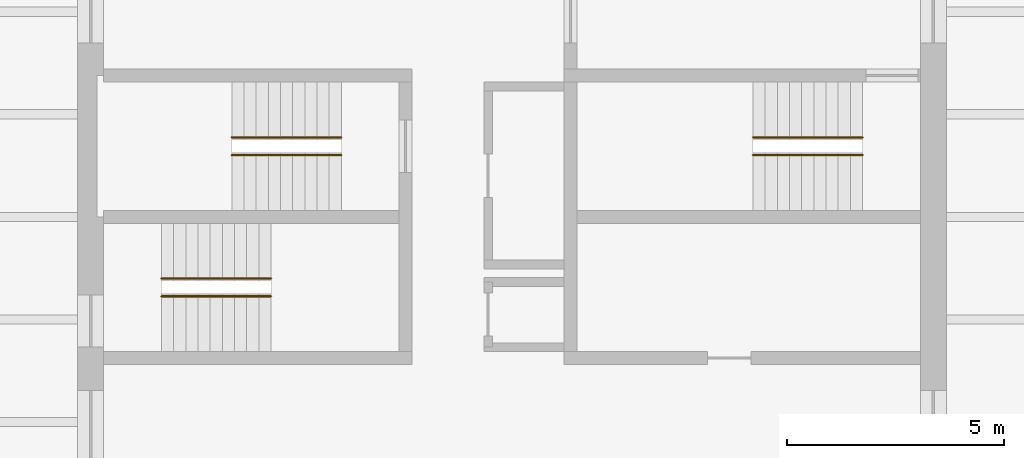
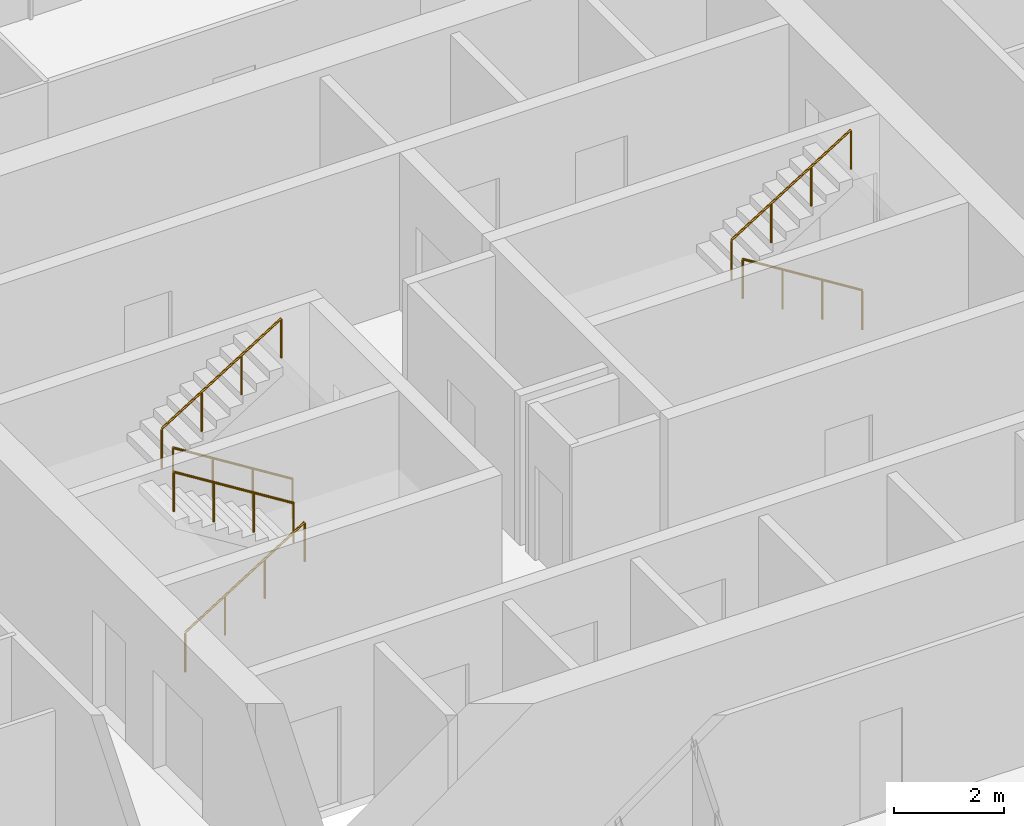
# One storey, part 17 of 17: 6 railings.
"""IFC4 building model written with IfcOpenShell, lengths in metres."""

from ifc_helpers import new_model, si_unit, direction, frame, origin, origin_2d, place, context, subcontext, project, spatial, circle, extrude, material, type_object, element, save


model = new_model("IFC4")

# Units and contexts
model_context = context("Model", 3, precision=1e-05, world=origin(), true_north=direction((0.0, 1.0)))
body_context = subcontext(model_context, "Body", "Model", "MODEL_VIEW")
ifc_project = project(units=[si_unit("LENGTHUNIT", "METRE"), si_unit("AREAUNIT", "SQUARE_METRE"), si_unit("VOLUMEUNIT", "CUBIC_METRE"), si_unit("PLANEANGLEUNIT", "RADIAN"), si_unit("MASSUNIT", "GRAM", prefix="KILO")], contexts=[model_context])

# Site, building, storey
site_placement = place(None, origin())
site = spatial("IfcSite", under=ifc_project, at=site_placement, CompositionType="ELEMENT")
building_placement = place(site_placement, origin())
building = spatial("IfcBuilding", under=site, at=building_placement, Name="Turquesa Mirador Hotel Tower", CompositionType="ELEMENT")
storey_placement = place(building_placement, frame((0.0, 0.0, 258.199951171875)))
storey = spatial("IfcBuildingStorey", under=building, at=storey_placement, Name="L70", CompositionType="ELEMENT", Elevation=258.199951171875)

# Railings
ifc_material = material(Name="Painted steel handrail", Category="steel")
railing_type = type_object("IfcRailingType", Name="HANDRAIL 900 STEEL", PredefinedType="HANDRAIL", material=ifc_material)
railing_1_placement = place(storey_placement, frame((51.070068359375, 46.419921875, 0.175048828125)))
element("IfcRailing", 1, at=railing_1_placement, inside=storey, type_object=railing_type, Name="Handrail ST1", PredefinedType="HANDRAIL", context=body_context, shape_type="SweptSolid", body=[
    extrude(circle(Radius=0.02392578125, at=origin_2d()), frame((0.0, 0.0, 0.8759765625), z_axis=(-0.848007534815, 0.0, 0.529984170421), x_axis=(0.0, -1.0, 0.0)), (0.0, 0.0, 1.0), 2.9716796875),
    extrude(circle(Radius=0.02099609375, at=origin_2d()), origin(), (0.0, 0.0, 1.0), 0.851806640625),
    extrude(circle(Radius=0.02099609375, at=origin_2d()), frame((-0.840087890625, 0.0, 0.52490234375)), (0.0, 0.0, 1.0), 0.851806640625),
    extrude(circle(Radius=0.02099609375, at=origin_2d()), frame((-1.679931640625, 0.0, 1.050048828125)), (0.0, 0.0, 1.0), 0.851806640625),
    extrude(circle(Radius=0.02099609375, at=origin_2d()), frame((-2.52001953125, 0.0, 1.574951171875)), (0.0, 0.0, 1.0), 0.851806640625),
])
for number, where, name in (
    (2, (48.550048828125, 46.830078125, 1.925048828125), "Handrail ST1"),
    (3, (46.929931640625, 43.169921875, 0.175048828125), "Handrail ST2"),
):
    element("IfcRailing", number, at=place(storey_placement, frame(where)), inside=storey, type_object=railing_type, Name=name, PredefinedType="HANDRAIL", context=body_context, shape_type="SweptSolid", body=[
        extrude(circle(Radius=0.02392578125, at=origin_2d()), frame((0.0, 0.0, 0.8759765625), z_axis=(0.848007534815, 0.0, 0.529984170421), x_axis=(0.0, 1.0, 0.0)), (0.0, 0.0, 1.0), 2.9716796875),
        extrude(circle(Radius=0.02099609375, at=origin_2d()), origin(), (0.0, 0.0, 1.0), 0.851806640625),
        extrude(circle(Radius=0.02099609375, at=origin_2d()), frame((0.840087890625, 0.0, 0.52490234375)), (0.0, 0.0, 1.0), 0.851806640625),
        extrude(circle(Radius=0.02099609375, at=origin_2d()), frame((1.679931640625, 0.0, 1.050048828125)), (0.0, 0.0, 1.0), 0.851806640625),
        extrude(circle(Radius=0.02099609375, at=origin_2d()), frame((2.52001953125, 0.0, 1.574951171875)), (0.0, 0.0, 1.0), 0.851806640625),
    ])
for number, where, name in (
    (4, (49.449951171875, 43.580078125, 1.925048828125), "Handrail ST2"),
    (5, (63.070068359375, 46.419921875, 0.175048828125), "Handrail ST3"),
):
    element("IfcRailing", number, at=place(storey_placement, frame(where)), inside=storey, type_object=railing_type, Name=name, PredefinedType="HANDRAIL", context=body_context, shape_type="SweptSolid", body=[
        extrude(circle(Radius=0.02392578125, at=origin_2d()), frame((0.0, 0.0, 0.8759765625), z_axis=(-0.848007534815, 0.0, 0.529984170421), x_axis=(0.0, -1.0, 0.0)), (0.0, 0.0, 1.0), 2.9716796875),
        extrude(circle(Radius=0.02099609375, at=origin_2d()), origin(), (0.0, 0.0, 1.0), 0.851806640625),
        extrude(circle(Radius=0.02099609375, at=origin_2d()), frame((-0.840087890625, 0.0, 0.52490234375)), (0.0, 0.0, 1.0), 0.851806640625),
        extrude(circle(Radius=0.02099609375, at=origin_2d()), frame((-1.679931640625, 0.0, 1.050048828125)), (0.0, 0.0, 1.0), 0.851806640625),
        extrude(circle(Radius=0.02099609375, at=origin_2d()), frame((-2.52001953125, 0.0, 1.574951171875)), (0.0, 0.0, 1.0), 0.851806640625),
    ])
railing_2_placement = place(storey_placement, frame((60.550048828125, 46.830078125, 1.925048828125)))
element("IfcRailing", 6, at=railing_2_placement, inside=storey, type_object=railing_type, Name="Handrail ST3", PredefinedType="HANDRAIL", context=body_context, shape_type="SweptSolid", body=[
    extrude(circle(Radius=0.02392578125, at=origin_2d()), frame((0.0, 0.0, 0.8759765625), z_axis=(0.848007534815, 0.0, 0.529984170421), x_axis=(0.0, 1.0, 0.0)), (0.0, 0.0, 1.0), 2.9716796875),
    extrude(circle(Radius=0.02099609375, at=origin_2d()), origin(), (0.0, 0.0, 1.0), 0.851806640625),
    extrude(circle(Radius=0.02099609375, at=origin_2d()), frame((0.840087890625, 0.0, 0.52490234375)), (0.0, 0.0, 1.0), 0.851806640625),
    extrude(circle(Radius=0.02099609375, at=origin_2d()), frame((1.679931640625, 0.0, 1.050048828125)), (0.0, 0.0, 1.0), 0.851806640625),
    extrude(circle(Radius=0.02099609375, at=origin_2d()), frame((2.52001953125, 0.0, 1.574951171875)), (0.0, 0.0, 1.0), 0.851806640625),
])

save(model, "model.ifc")
